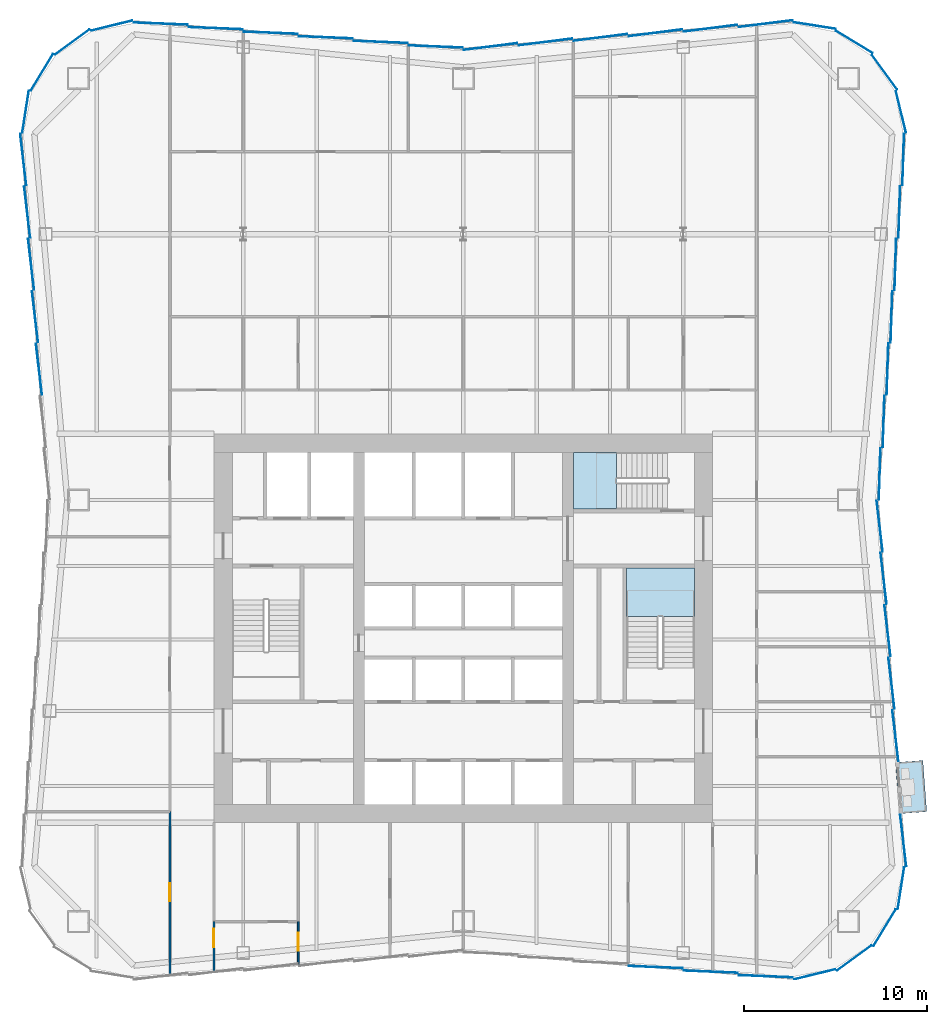
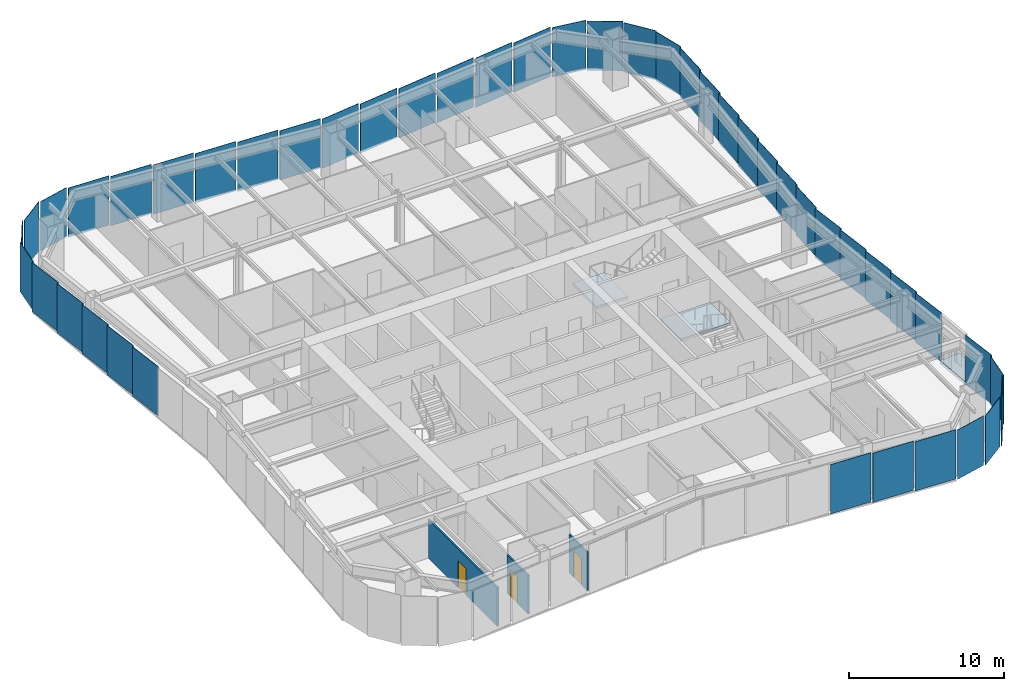
# One storey, part 3 of 9: 45 plates, 3 doors, 3 slabs, 3 walls, 3 openings, 9 elements without a shape of their own.
"""IFC4 building model written with IfcOpenShell, lengths in metres."""

from ifc_helpers import new_model, si_unit, direction, frame, frame_2d, origin, origin_2d, place, context, subcontext, project, spatial, polyline, rectangle, outline, extrude, material, layer, layer_set, type_object, element, fill, aggregate, save


model = new_model("IFC4")

# Units and contexts
model_context = context("Model", 3, precision=1e-05, world=origin(), true_north=direction((0.0, 1.0)))
body_context = subcontext(model_context, "Body", "Model", "MODEL_VIEW")
ifc_project = project(units=[si_unit("LENGTHUNIT", "METRE"), si_unit("AREAUNIT", "SQUARE_METRE"), si_unit("VOLUMEUNIT", "CUBIC_METRE"), si_unit("PLANEANGLEUNIT", "RADIAN"), si_unit("MASSUNIT", "GRAM", prefix="KILO")], contexts=[model_context])

# Site, building, storey
site_placement = place(None, origin())
site = spatial("IfcSite", under=ifc_project, at=site_placement, CompositionType="ELEMENT")
building_placement = place(site_placement, origin())
building = spatial("IfcBuilding", under=site, at=building_placement, Name="Verdant Reach Tower", CompositionType="ELEMENT")
storey_placement = place(building_placement, frame((0.0, 0.0, 142.0)))
storey = spatial("IfcBuildingStorey", under=building, at=storey_placement, Name="L32", CompositionType="ELEMENT", Elevation=142.0)

# Stair, slab
ifc_material_1 = material(Name="Concrete C40/50", Category="concrete")
stair_type = type_object("IfcStairType", Name="CO-STAIR", PredefinedType="HALF_TURN_STAIR", material=ifc_material_1)
stair_1_placement = place(storey_placement, origin())
stair_1 = element("IfcStair", 1, at=stair_1_placement, inside=storey, type_object=stair_type, Name="L32 Exit stair 2", PredefinedType="HALF_TURN_STAIR")
ifc_layer_1 = layer(ifc_material_1, 0.199951171875)
ifc_layer_set_1 = layer_set([ifc_layer_1], Name="CO-STAIR-LANDING")
slab_type_1 = type_object("IfcSlabType", Name="CO-STAIR-LANDING", PredefinedType="LANDING", material=ifc_layer_set_1)
slab_1_placement = place(storey_placement, frame((0.0, 0.0, 1.800048828125)))
slab_1 = element("IfcSlab", 2, at=slab_1_placement, type_object=slab_type_1, Name="ST-2 landing 1", PredefinedType="LANDING", context=body_context, shape_type="SweptSolid", body=[
    extrude(outline(polyline([(12.60009765625, 28.64990234375), (12.60009765625, 31.300048828125), (8.89990234375, 31.300048828125), (8.89990234375, 28.64990234375), (12.60009765625, 28.64990234375)])), origin(), (0.0, 0.0, 1.0), 0.199951171875),
])
aggregate(stair_1, [slab_1])

stair_2_placement = place(storey_placement, origin())
stair_2 = element("IfcStair", 3, at=stair_2_placement, inside=storey, type_object=stair_type, Name="L32 Exit stair 3", PredefinedType="HALF_TURN_STAIR")
slab_2_placement = place(storey_placement, frame((0.0, 0.0, 1.800048828125)))
slab_2 = element("IfcSlab", 4, at=slab_2_placement, type_object=slab_type_1, Name="ST-3 landing 1", PredefinedType="LANDING", context=body_context, shape_type="SweptSolid", body=[
    extrude(outline(polyline([(8.35009765625, 37.60009765625), (6.0, 37.60009765625), (6.0, 34.5), (8.35009765625, 34.5), (8.35009765625, 37.60009765625)])), origin(), (0.0, 0.0, 1.0), 0.199951171875),
])
aggregate(stair_2, [slab_2])

# Slab
ifc_material_2 = material(Name="Concrete C35/45", Category="concrete")
ifc_layer_2 = layer(ifc_material_2, 0.25)
ifc_layer_set_2 = layer_set([ifc_layer_2], Name="EN-BALCONY SLAB")
slab_type_2 = type_object("IfcSlabType", Name="EN-BALCONY SLAB", PredefinedType="FLOOR", material=ifc_layer_set_2)
slab_3_placement = place(storey_placement, frame((0.0, 0.0, -0.25)))
element("IfcSlab", 5, at=slab_3_placement, inside=storey, type_object=slab_type_2, Name="Balcony slab 1, L32", PredefinedType="FLOOR", context=body_context, shape_type="SweptSolid", body=[
    extrude(outline(polyline([(23.783203125, 17.88916015625), (23.57373046875, 20.682373046875), (25.069580078125, 20.794677734375), (25.279052734375, 18.001220703125), (23.783203125, 17.88916015625)])), origin(), (0.0, 0.0, 1.0), 0.25),
])

# Curtain wall, plates
ifc_material_3 = material(Name="Anodised aluminium", Category="aluminium")
curtain_wall_type = type_object("IfcCurtainWallType", Name="EN-CW SYSTEM Z2", PredefinedType="NOTDEFINED", material=ifc_material_3)
curtain_wall_1_placement = place(storey_placement, origin())
curtain_wall_1 = element("IfcCurtainWall", 6, at=curtain_wall_1_placement, inside=storey, type_object=curtain_wall_type, Name="Curtain wall south-east corner, L32", PredefinedType="NOTDEFINED")
ifc_material_4 = material(Name="Tinted glass with champagne spandrel", Category="glass")
ifc_layer_3 = layer(ifc_material_4, 0.031982421875)
ifc_layer_set_3 = layer_set([ifc_layer_3], Name="EN-PANEL CHAMPAGNE")
plate_type_1 = type_object("IfcPlateType", Name="EN-PANEL CHAMPAGNE", PredefinedType="CURTAIN_PANEL", material=ifc_layer_set_3)
plate_1_placement = place(storey_placement, frame((22.9794921875, 11.6728515625, -0.22607421875), z_axis=(0.0, 0.0, 1.0), x_axis=(0.520291561353, 0.853988694998, 0.0)))
plate_1 = element("IfcPlate", 7, at=plate_1_placement, type_object=plate_type_1, Name="Glass panel south-east corner 3.1, L32", PredefinedType="CURTAIN_PANEL", context=body_context, shape_type="SweptSolid", body=[
    extrude(rectangle(XDim=2.322509765625, YDim=0.031982421875, at=origin_2d()), origin(), (0.0, 0.0, 1.0), 3.8759765625),
])
plate_2_placement = place(storey_placement, frame((23.87353515625, 13.828369140625, -0.22607421875), z_axis=(0.0, 0.0, 1.0), x_axis=(0.154281290631, 0.988026964896, 0.0)))
plate_2 = element("IfcPlate", 8, at=plate_2_placement, type_object=plate_type_1, Name="Glass panel south-east corner 4.1, L32", PredefinedType="CURTAIN_PANEL", context=body_context, shape_type="SweptSolid", body=[
    extrude(rectangle(XDim=2.316162109375, YDim=0.031982421875, at=origin_2d()), origin(), (0.0, 0.0, 1.0), 3.8759765625),
])

curtain_wall_2_placement = place(storey_placement, origin())
curtain_wall_2 = element("IfcCurtainWall", 9, at=curtain_wall_2_placement, inside=storey, type_object=curtain_wall_type, Name="Curtain wall east, L32", PredefinedType="NOTDEFINED")
plate_3_placement = place(storey_placement, frame((23.570068359375, 22.15087890625, -0.22607421875), z_axis=(0.0, 0.0, 1.0), x_axis=(-0.116482717753, 0.993192718693, 0.0)))
plate_3 = element("IfcPlate", 10, at=plate_3_placement, type_object=plate_type_1, Name="Glass panel east face part 1 3.1, L32", PredefinedType="CURTAIN_PANEL", context=body_context, shape_type="SweptSolid", body=[
    extrude(rectangle(XDim=2.80517578125, YDim=0.031982421875, at=origin_2d()), origin(), (0.0, 0.0, 1.0), 3.8759765625),
])
plate_4_placement = place(storey_placement, frame((23.141357421875, 42.135009765625, -0.22607421875), z_axis=(0.0, 0.0, 1.0), x_axis=(0.032965971753, 0.999456474643, 0.0)))
plate_4 = element("IfcPlate", 11, at=plate_4_placement, type_object=plate_type_1, Name="Glass panel east face part 2 3.1, L32", PredefinedType="CURTAIN_PANEL", context=body_context, shape_type="SweptSolid", body=[
    extrude(rectangle(XDim=2.80517578125, YDim=0.031982421875, at=origin_2d()), origin(), (0.0, 0.0, 1.0), 3.8759765625),
])
plate_5_placement = place(storey_placement, frame((23.355712890625, 44.9921875, -0.22607421875), z_axis=(0.0, 0.0, 1.0), x_axis=(0.032965971753, 0.999456474643, 0.0)))
plate_5 = element("IfcPlate", 12, at=plate_5_placement, type_object=plate_type_1, Name="Glass panel east face part 2 4.1, L32", PredefinedType="CURTAIN_PANEL", context=body_context, shape_type="SweptSolid", body=[
    extrude(rectangle(XDim=2.80517578125, YDim=0.031982421875, at=origin_2d()), origin(), (0.0, 0.0, 1.0), 3.8759765625),
])
plate_6_placement = place(storey_placement, frame((23.570068359375, 47.84912109375, -0.22607421875), z_axis=(0.0, 0.0, 1.0), x_axis=(0.032965971753, 0.999456474643, 0.0)))
plate_6 = element("IfcPlate", 13, at=plate_6_placement, type_object=plate_type_1, Name="Glass panel east face part 2 5.1, L32", PredefinedType="CURTAIN_PANEL", context=body_context, shape_type="SweptSolid", body=[
    extrude(rectangle(XDim=2.80517578125, YDim=0.031982421875, at=origin_2d()), origin(), (0.0, 0.0, 1.0), 3.8759765625),
])

curtain_wall_3_placement = place(storey_placement, origin())
curtain_wall_3 = element("IfcCurtainWall", 14, at=curtain_wall_3_placement, inside=storey, type_object=curtain_wall_type, Name="Curtain wall north-east corner, L32", PredefinedType="NOTDEFINED")
plate_7_placement = place(storey_placement, frame((22.9794921875, 58.3271484375, -0.22607421875), z_axis=(0.0, 0.0, 1.0), x_axis=(-0.589926757843, 0.807456760688, 0.0)))
plate_7 = element("IfcPlate", 15, at=plate_7_placement, type_object=plate_type_1, Name="Glass panel north-east corner 2.1, L32", PredefinedType="CURTAIN_PANEL", context=body_context, shape_type="SweptSolid", body=[
    extrude(rectangle(XDim=2.322509765625, YDim=0.031982421875, at=origin_2d()), origin(), (0.0, 0.0, 1.0), 3.8759765625),
])
plate_8_placement = place(storey_placement, frame((21.3271484375, 59.9794921875, -0.22607421875), z_axis=(0.0, 0.0, 1.0), x_axis=(-0.853988694998, 0.520291561353, 0.0)))
plate_8 = element("IfcPlate", 16, at=plate_8_placement, type_object=plate_type_1, Name="Glass panel north-east corner 3.1, L32", PredefinedType="CURTAIN_PANEL", context=body_context, shape_type="SweptSolid", body=[
    extrude(rectangle(XDim=2.322509765625, YDim=0.031982421875, at=origin_2d()), origin(), (0.0, 0.0, 1.0), 3.8759765625),
])

curtain_wall_4_placement = place(storey_placement, origin())
curtain_wall_4 = element("IfcCurtainWall", 17, at=curtain_wall_4_placement, inside=storey, type_object=curtain_wall_type, Name="Curtain wall north, L32", PredefinedType="NOTDEFINED")
plate_9_placement = place(storey_placement, frame((16.49853515625, 60.980712890625, -0.22607421875), z_axis=(0.0, 0.0, 1.0), x_axis=(-0.992236570309, -0.124364739946, 0.0)))
plate_9 = element("IfcPlate", 18, at=plate_9_placement, type_object=plate_type_1, Name="Glass panel north face part 1 1.1, L32", PredefinedType="CURTAIN_PANEL", context=body_context, shape_type="SweptSolid", body=[
    extrude(rectangle(XDim=2.965087890625, YDim=0.031982421875, at=origin_2d()), origin(), (0.0, 0.0, 1.0), 3.8759765625),
])
plate_10_placement = place(storey_placement, frame((-1.49560546875, 59.730712890625, -0.22607421875), z_axis=(0.0, 0.0, 1.0), x_axis=(-0.999144163765, 0.041363510662, 0.0)))
plate_10 = element("IfcPlate", 19, at=plate_10_placement, type_object=plate_type_1, Name="Glass panel north face part 2 1.1, L32", PredefinedType="CURTAIN_PANEL", context=body_context, shape_type="SweptSolid", body=[
    extrude(rectangle(XDim=2.941650390625, YDim=0.031982421875, at=origin_2d()), origin(), (0.0, 0.0, 1.0), 3.8759765625),
])
plate_11_placement = place(storey_placement, frame((-4.4912109375, 59.980712890625, -0.22607421875), z_axis=(0.0, 0.0, 1.0), x_axis=(-0.999149202059, 0.041241629766, 0.0)))
plate_11 = element("IfcPlate", 20, at=plate_11_placement, type_object=plate_type_1, Name="Glass panel north face part 2 2.1, L32", PredefinedType="CURTAIN_PANEL", context=body_context, shape_type="SweptSolid", body=[
    extrude(rectangle(XDim=2.950439453125, YDim=0.031982421875, at=origin_2d()), origin(), (0.0, 0.0, 1.0), 3.8759765625),
])
plate_12_placement = place(storey_placement, frame((-7.4912109375, 60.230712890625, -0.22607421875), z_axis=(0.0, 0.0, 1.0), x_axis=(-0.999149202059, 0.041241629766, 0.0)))
plate_12 = element("IfcPlate", 21, at=plate_12_placement, type_object=plate_type_1, Name="Glass panel north face part 2 3.1, L32", PredefinedType="CURTAIN_PANEL", context=body_context, shape_type="SweptSolid", body=[
    extrude(rectangle(XDim=2.950439453125, YDim=0.031982421875, at=origin_2d()), origin(), (0.0, 0.0, 1.0), 3.8759765625),
])

# Curtain wall, plate
curtain_wall_5_placement = place(storey_placement, origin())
curtain_wall_5 = element("IfcCurtainWall", 22, at=curtain_wall_5_placement, inside=storey, type_object=curtain_wall_type, Name="Curtain wall north-west corner, L32", PredefinedType="NOTDEFINED")
plate_13_placement = place(storey_placement, frame((-19.17138671875, 60.87353515625, -0.22607421875), z_axis=(0.0, 0.0, 1.0), x_axis=(-0.971657900775, -0.236391463174, 0.0)))
plate_13 = element("IfcPlate", 23, at=plate_13_placement, type_object=plate_type_1, Name="Glass panel north-west corner 1.1, L32", PredefinedType="CURTAIN_PANEL", context=body_context, shape_type="SweptSolid", body=[
    extrude(rectangle(XDim=2.31640625, YDim=0.031982421875, at=origin_2d()), origin(), (0.0, 0.0, 1.0), 3.8759765625),
])

# Curtain wall, plates
curtain_wall_6_placement = place(storey_placement, origin())
curtain_wall_6 = element("IfcCurtainWall", 24, at=curtain_wall_6_placement, inside=storey, type_object=curtain_wall_type, Name="Curtain wall south, L32", PredefinedType="NOTDEFINED")
plate_14_placement = place(storey_placement, frame((13.4912109375, 9.269287109375, -0.22607421875), z_axis=(0.0, 0.0, 1.0), x_axis=(0.999149202059, -0.041241629766, 0.0)))
plate_14 = element("IfcPlate", 25, at=plate_14_placement, type_object=plate_type_1, Name="Glass panel south face part 2 5.1, L32", PredefinedType="CURTAIN_PANEL", context=body_context, shape_type="SweptSolid", body=[
    extrude(rectangle(XDim=2.950439453125, YDim=0.031982421875, at=origin_2d()), origin(), (0.0, 0.0, 1.0), 3.8759765625),
])
plate_15_placement = place(storey_placement, frame((16.49853515625, 9.019287109375, -0.22607421875), z_axis=(0.0, 0.0, 1.0), x_axis=(0.999163230224, -0.040900359019, 0.0)))
plate_15 = element("IfcPlate", 26, at=plate_15_placement, type_object=plate_type_1, Name="Glass panel south face part 2 6.1, L32", PredefinedType="CURTAIN_PANEL", context=body_context, shape_type="SweptSolid", body=[
    extrude(rectangle(XDim=2.965087890625, YDim=0.031982421875, at=origin_2d()), origin(), (0.0, 0.0, 1.0), 3.8759765625),
])

# Plate
ifc_material_5 = material(Name="Tinted glass with copper spandrel", Category="glass")
ifc_layer_4 = layer(ifc_material_5, 0.031982421875)
ifc_layer_set_4 = layer_set([ifc_layer_4], Name="EN-PANEL COPPER")
plate_type_2 = type_object("IfcPlateType", Name="EN-PANEL COPPER", PredefinedType="CURTAIN_PANEL", material=ifc_layer_set_4)
plate_16_placement = place(storey_placement, frame((23.355712890625, 25.0078125, -0.22607421875), z_axis=(0.0, 0.0, 1.0), x_axis=(-0.116482717753, 0.993192718693, 0.0)))
plate_16 = element("IfcPlate", 27, at=plate_16_placement, type_object=plate_type_2, Name="Glass panel east face part 1 4.1, L32", PredefinedType="CURTAIN_PANEL", context=body_context, shape_type="SweptSolid", body=[
    extrude(rectangle(XDim=2.80517578125, YDim=0.031982421875, at=origin_2d()), origin(), (0.0, 0.0, 1.0), 3.8759765625),
])

plate_17_placement = place(storey_placement, frame((23.141357421875, 27.864990234375, -0.22607421875), z_axis=(0.0, 0.0, 1.0), x_axis=(-0.116482717753, 0.993192718693, 0.0)))
plate_17 = element("IfcPlate", 28, at=plate_17_placement, type_object=plate_type_2, Name="Glass panel east face part 1 5.1, L32", PredefinedType="CURTAIN_PANEL", context=body_context, shape_type="SweptSolid", body=[
    extrude(rectangle(XDim=2.80517578125, YDim=0.031982421875, at=origin_2d()), origin(), (0.0, 0.0, 1.0), 3.8759765625),
])

plate_18_placement = place(storey_placement, frame((22.92724609375, 30.72216796875, -0.22607421875), z_axis=(0.0, 0.0, 1.0), x_axis=(-0.116482717753, 0.993192718693, 0.0)))
plate_18 = element("IfcPlate", 29, at=plate_18_placement, type_object=plate_type_2, Name="Glass panel east face part 1 6.1, L32", PredefinedType="CURTAIN_PANEL", context=body_context, shape_type="SweptSolid", body=[
    extrude(rectangle(XDim=2.80517578125, YDim=0.031982421875, at=origin_2d()), origin(), (0.0, 0.0, 1.0), 3.8759765625),
])

plate_19_placement = place(storey_placement, frame((23.7841796875, 50.706298828125, -0.22607421875), z_axis=(0.0, 0.0, 1.0), x_axis=(0.032965971753, 0.999456474643, 0.0)))
plate_19 = element("IfcPlate", 30, at=plate_19_placement, type_object=plate_type_2, Name="Glass panel east face part 2 6.1, L32", PredefinedType="CURTAIN_PANEL", context=body_context, shape_type="SweptSolid", body=[
    extrude(rectangle(XDim=2.80517578125, YDim=0.031982421875, at=origin_2d()), origin(), (0.0, 0.0, 1.0), 3.8759765625),
])

plate_20_placement = place(storey_placement, frame((23.99853515625, 53.57080078125, -0.22607421875), z_axis=(0.0, 0.0, 1.0), x_axis=(0.032628234484, 0.99946755741, 0.0)))
plate_20 = element("IfcPlate", 31, at=plate_20_placement, type_object=plate_type_2, Name="Glass panel east face part 2 7.1, L32", PredefinedType="CURTAIN_PANEL", context=body_context, shape_type="SweptSolid", body=[
    extrude(rectangle(XDim=2.819580078125, YDim=0.031982421875, at=origin_2d()), origin(), (0.0, 0.0, 1.0), 3.8759765625),
])

plate_21_placement = place(storey_placement, frame((19.17138671875, 60.87353515625, -0.22607421875), z_axis=(0.0, 0.0, 1.0), x_axis=(-0.988030887576, 0.154256167447, 0.0)))
plate_21 = element("IfcPlate", 32, at=plate_21_placement, type_object=plate_type_2, Name="Glass panel north-east corner 4.1, L32", PredefinedType="CURTAIN_PANEL", context=body_context, shape_type="SweptSolid", body=[
    extrude(rectangle(XDim=2.31640625, YDim=0.031982421875, at=origin_2d()), origin(), (0.0, 0.0, 1.0), 3.8759765625),
])

plate_22_placement = place(storey_placement, frame((13.4912109375, 60.730712890625, -0.22607421875), z_axis=(0.0, 0.0, 1.0), x_axis=(-0.992194034542, -0.124703639961, 0.0)))
plate_22 = element("IfcPlate", 33, at=plate_22_placement, type_object=plate_type_2, Name="Glass panel north face part 1 2.1, L32", PredefinedType="CURTAIN_PANEL", context=body_context, shape_type="SweptSolid", body=[
    extrude(rectangle(XDim=2.950439453125, YDim=0.031982421875, at=origin_2d()), origin(), (0.0, 0.0, 1.0), 3.8759765625),
])

plate_23_placement = place(storey_placement, frame((10.4912109375, 60.480712890625, -0.22607421875), z_axis=(0.0, 0.0, 1.0), x_axis=(-0.992194034542, -0.124703639961, 0.0)))
plate_23 = element("IfcPlate", 34, at=plate_23_placement, type_object=plate_type_2, Name="Glass panel north face part 1 3.1, L32", PredefinedType="CURTAIN_PANEL", context=body_context, shape_type="SweptSolid", body=[
    extrude(rectangle(XDim=2.950439453125, YDim=0.031982421875, at=origin_2d()), origin(), (0.0, 0.0, 1.0), 3.8759765625),
])

plate_24_placement = place(storey_placement, frame((7.4912109375, 60.230712890625, -0.22607421875), z_axis=(0.0, 0.0, 1.0), x_axis=(-0.992194034542, -0.124703639961, 0.0)))
plate_24 = element("IfcPlate", 35, at=plate_24_placement, type_object=plate_type_2, Name="Glass panel north face part 1 4.1, L32", PredefinedType="CURTAIN_PANEL", context=body_context, shape_type="SweptSolid", body=[
    extrude(rectangle(XDim=2.950439453125, YDim=0.031982421875, at=origin_2d()), origin(), (0.0, 0.0, 1.0), 3.8759765625),
])

plate_25_placement = place(storey_placement, frame((-10.4912109375, 60.480712890625, -0.22607421875), z_axis=(0.0, 0.0, 1.0), x_axis=(-0.999149202059, 0.041241629766, 0.0)))
plate_25 = element("IfcPlate", 36, at=plate_25_placement, type_object=plate_type_2, Name="Glass panel north face part 2 4.1, L32", PredefinedType="CURTAIN_PANEL", context=body_context, shape_type="SweptSolid", body=[
    extrude(rectangle(XDim=2.950439453125, YDim=0.031982421875, at=origin_2d()), origin(), (0.0, 0.0, 1.0), 3.8759765625),
])

plate_26_placement = place(storey_placement, frame((-13.4912109375, 60.730712890625, -0.22607421875), z_axis=(0.0, 0.0, 1.0), x_axis=(-0.999149202059, 0.041241629766, 0.0)))
plate_26 = element("IfcPlate", 37, at=plate_26_placement, type_object=plate_type_2, Name="Glass panel north face part 2 5.1, L32", PredefinedType="CURTAIN_PANEL", context=body_context, shape_type="SweptSolid", body=[
    extrude(rectangle(XDim=2.950439453125, YDim=0.031982421875, at=origin_2d()), origin(), (0.0, 0.0, 1.0), 3.8759765625),
])

plate_27_placement = place(storey_placement, frame((-21.3271484375, 59.9794921875, -0.22607421875), z_axis=(0.0, 0.0, 1.0), x_axis=(-0.807456760688, -0.589926757843, 0.0)))
plate_27 = element("IfcPlate", 38, at=plate_27_placement, type_object=plate_type_2, Name="Glass panel north-west corner 2.1, L32", PredefinedType="CURTAIN_PANEL", context=body_context, shape_type="SweptSolid", body=[
    extrude(rectangle(XDim=2.322509765625, YDim=0.031982421875, at=origin_2d()), origin(), (0.0, 0.0, 1.0), 3.8759765625),
])

plate_28_placement = place(storey_placement, frame((-22.9794921875, 58.3271484375, -0.22607421875), z_axis=(0.0, 0.0, 1.0), x_axis=(-0.520291561353, -0.853988694998, 0.0)))
plate_28 = element("IfcPlate", 39, at=plate_28_placement, type_object=plate_type_2, Name="Glass panel north-west corner 3.1, L32", PredefinedType="CURTAIN_PANEL", context=body_context, shape_type="SweptSolid", body=[
    extrude(rectangle(XDim=2.322509765625, YDim=0.031982421875, at=origin_2d()), origin(), (0.0, 0.0, 1.0), 3.8759765625),
])

plate_29_placement = place(storey_placement, frame((-23.87353515625, 56.171630859375, -0.22607421875), z_axis=(0.0, 0.0, 1.0), x_axis=(-0.154281290631, -0.988026964896, 0.0)))
plate_29 = element("IfcPlate", 40, at=plate_29_placement, type_object=plate_type_2, Name="Glass panel north-west corner 4.1, L32", PredefinedType="CURTAIN_PANEL", context=body_context, shape_type="SweptSolid", body=[
    extrude(rectangle(XDim=2.316162109375, YDim=0.031982421875, at=origin_2d()), origin(), (0.0, 0.0, 1.0), 3.8759765625),
])

aggregate(curtain_wall_5, [plate_13, plate_27, plate_28, plate_29])

# Curtain wall, plates
curtain_wall_7_placement = place(storey_placement, origin())
curtain_wall_7 = element("IfcCurtainWall", 41, at=curtain_wall_7_placement, inside=storey, type_object=curtain_wall_type, Name="Curtain wall west, L32", PredefinedType="NOTDEFINED")
plate_30_placement = place(storey_placement, frame((-23.99853515625, 53.57080078125, -0.22607421875), z_axis=(0.0, 0.0, 1.0), x_axis=(0.116147092358, -0.993232023717, 0.0)))
plate_30 = element("IfcPlate", 42, at=plate_30_placement, type_object=plate_type_2, Name="Glass panel west face part 1 1.1, L32", PredefinedType="CURTAIN_PANEL", context=body_context, shape_type="SweptSolid", body=[
    extrude(rectangle(XDim=2.819580078125, YDim=0.031982421875, at=origin_2d()), origin(), (0.0, 0.0, 1.0), 3.8759765625),
])
plate_31_placement = place(storey_placement, frame((-23.7841796875, 50.706298828125, -0.22607421875), z_axis=(0.0, 0.0, 1.0), x_axis=(0.116482717753, -0.993192718693, 0.0)))
plate_31 = element("IfcPlate", 43, at=plate_31_placement, type_object=plate_type_2, Name="Glass panel west face part 1 2.1, L32", PredefinedType="CURTAIN_PANEL", context=body_context, shape_type="SweptSolid", body=[
    extrude(rectangle(XDim=2.80517578125, YDim=0.031982421875, at=origin_2d()), origin(), (0.0, 0.0, 1.0), 3.8759765625),
])

# Plate
ifc_material_6 = material(Name="Tinted glass with dark bronze spandrel", Category="glass")
ifc_layer_5 = layer(ifc_material_6, 0.031982421875)
ifc_layer_set_5 = layer_set([ifc_layer_5], Name="EN-PANEL DARK")
plate_type_3 = type_object("IfcPlateType", Name="EN-PANEL DARK", PredefinedType="CURTAIN_PANEL", material=ifc_layer_set_5)
plate_32_placement = place(storey_placement, frame((19.17138671875, 9.12646484375, -0.22607421875), z_axis=(0.0, 0.0, 1.0), x_axis=(0.971657900775, 0.236391463174, 0.0)))
plate_32 = element("IfcPlate", 44, at=plate_32_placement, type_object=plate_type_3, Name="Glass panel south-east corner 1.1, L32", PredefinedType="CURTAIN_PANEL", context=body_context, shape_type="SweptSolid", body=[
    extrude(rectangle(XDim=2.31640625, YDim=0.031982421875, at=origin_2d()), origin(), (0.0, 0.0, 1.0), 3.8759765625),
])

plate_33_placement = place(storey_placement, frame((21.3271484375, 10.0205078125, -0.22607421875), z_axis=(0.0, 0.0, 1.0), x_axis=(0.807456760688, 0.589926757843, 0.0)))
plate_33 = element("IfcPlate", 45, at=plate_33_placement, type_object=plate_type_3, Name="Glass panel south-east corner 2.1, L32", PredefinedType="CURTAIN_PANEL", context=body_context, shape_type="SweptSolid", body=[
    extrude(rectangle(XDim=2.322509765625, YDim=0.031982421875, at=origin_2d()), origin(), (0.0, 0.0, 1.0), 3.8759765625),
])

aggregate(curtain_wall_1, [plate_32, plate_33, plate_1, plate_2])

plate_34_placement = place(storey_placement, frame((23.99853515625, 16.42919921875, -0.22607421875), z_axis=(0.0, 0.0, 1.0), x_axis=(-0.116147092358, 0.993232023717, 0.0)))
plate_34 = element("IfcPlate", 46, at=plate_34_placement, type_object=plate_type_3, Name="Glass panel east face part 1 1.1, L32", PredefinedType="CURTAIN_PANEL", context=body_context, shape_type="SweptSolid", body=[
    extrude(rectangle(XDim=2.819580078125, YDim=0.031982421875, at=origin_2d()), origin(), (0.0, 0.0, 1.0), 3.8759765625),
])

plate_35_placement = place(storey_placement, frame((22.712890625, 33.575439453125, -0.22607421875), z_axis=(0.0, 0.0, 1.0), x_axis=(-0.116585911919, 0.993180610535, 0.0)))
plate_35 = element("IfcPlate", 47, at=plate_35_placement, type_object=plate_type_3, Name="Glass panel east face part 1 7.1, L32", PredefinedType="CURTAIN_PANEL", context=body_context, shape_type="SweptSolid", body=[
    extrude(rectangle(XDim=2.797119140625, YDim=0.031982421875, at=origin_2d()), origin(), (0.0, 0.0, 1.0), 3.8759765625),
])

plate_36_placement = place(storey_placement, frame((22.712890625, 36.424560546875, -0.22607421875), z_axis=(0.0, 0.0, 1.0), x_axis=(0.033069817188, 0.999453044015, 0.0)))
plate_36 = element("IfcPlate", 48, at=plate_36_placement, type_object=plate_type_3, Name="Glass panel east face part 2 1.1, L32", PredefinedType="CURTAIN_PANEL", context=body_context, shape_type="SweptSolid", body=[
    extrude(rectangle(XDim=2.797119140625, YDim=0.031982421875, at=origin_2d()), origin(), (0.0, 0.0, 1.0), 3.8759765625),
])

plate_37_placement = place(storey_placement, frame((22.92724609375, 39.27783203125, -0.22607421875), z_axis=(0.0, 0.0, 1.0), x_axis=(0.032965971753, 0.999456474643, 0.0)))
plate_37 = element("IfcPlate", 49, at=plate_37_placement, type_object=plate_type_3, Name="Glass panel east face part 2 2.1, L32", PredefinedType="CURTAIN_PANEL", context=body_context, shape_type="SweptSolid", body=[
    extrude(rectangle(XDim=2.80517578125, YDim=0.031982421875, at=origin_2d()), origin(), (0.0, 0.0, 1.0), 3.8759765625),
])

aggregate(curtain_wall_2, [plate_34, plate_3, plate_16, plate_17, plate_18, plate_35, plate_36, plate_37, plate_4, plate_5, plate_6, plate_19, plate_20])

plate_38_placement = place(storey_placement, frame((23.87353515625, 56.171630859375, -0.22607421875), z_axis=(0.0, 0.0, 1.0), x_axis=(-0.236416170006, 0.971651889598, 0.0)))
plate_38 = element("IfcPlate", 50, at=plate_38_placement, type_object=plate_type_3, Name="Glass panel north-east corner 1.1, L32", PredefinedType="CURTAIN_PANEL", context=body_context, shape_type="SweptSolid", body=[
    extrude(rectangle(XDim=2.316162109375, YDim=0.031982421875, at=origin_2d()), origin(), (0.0, 0.0, 1.0), 3.8759765625),
])

aggregate(curtain_wall_3, [plate_38, plate_7, plate_8, plate_21])

plate_39_placement = place(storey_placement, frame((4.4912109375, 59.980712890625, -0.22607421875), z_axis=(0.0, 0.0, 1.0), x_axis=(-0.992194034542, -0.124703639961, 0.0)))
plate_39 = element("IfcPlate", 51, at=plate_39_placement, type_object=plate_type_3, Name="Glass panel north face part 1 5.1, L32", PredefinedType="CURTAIN_PANEL", context=body_context, shape_type="SweptSolid", body=[
    extrude(rectangle(XDim=2.950439453125, YDim=0.031982421875, at=origin_2d()), origin(), (0.0, 0.0, 1.0), 3.8759765625),
])

plate_40_placement = place(storey_placement, frame((1.49560546875, 59.730712890625, -0.22607421875), z_axis=(0.0, 0.0, 1.0), x_axis=(-0.992178815188, -0.12482467181, 0.0)))
plate_40 = element("IfcPlate", 52, at=plate_40_placement, type_object=plate_type_3, Name="Glass panel north face part 1 6.1, L32", PredefinedType="CURTAIN_PANEL", context=body_context, shape_type="SweptSolid", body=[
    extrude(rectangle(XDim=2.941650390625, YDim=0.031982421875, at=origin_2d()), origin(), (0.0, 0.0, 1.0), 3.8759765625),
])

plate_41_placement = place(storey_placement, frame((-16.49853515625, 60.980712890625, -0.22607421875), z_axis=(0.0, 0.0, 1.0), x_axis=(-0.999163230224, 0.040900359019, 0.0)))
plate_41 = element("IfcPlate", 53, at=plate_41_placement, type_object=plate_type_3, Name="Glass panel north face part 2 6.1, L32", PredefinedType="CURTAIN_PANEL", context=body_context, shape_type="SweptSolid", body=[
    extrude(rectangle(XDim=2.965087890625, YDim=0.031982421875, at=origin_2d()), origin(), (0.0, 0.0, 1.0), 3.8759765625),
])

aggregate(curtain_wall_4, [plate_9, plate_22, plate_23, plate_24, plate_39, plate_40, plate_10, plate_11, plate_12, plate_25, plate_26, plate_41])

plate_42_placement = place(storey_placement, frame((-23.570068359375, 47.84912109375, -0.22607421875), z_axis=(0.0, 0.0, 1.0), x_axis=(0.116482717753, -0.993192718693, 0.0)))
plate_42 = element("IfcPlate", 54, at=plate_42_placement, type_object=plate_type_3, Name="Glass panel west face part 1 3.1, L32", PredefinedType="CURTAIN_PANEL", context=body_context, shape_type="SweptSolid", body=[
    extrude(rectangle(XDim=2.80517578125, YDim=0.031982421875, at=origin_2d()), origin(), (0.0, 0.0, 1.0), 3.8759765625),
])

plate_43_placement = place(storey_placement, frame((-23.355712890625, 44.9921875, -0.22607421875), z_axis=(0.0, 0.0, 1.0), x_axis=(0.116482717753, -0.993192718693, 0.0)))
plate_43 = element("IfcPlate", 55, at=plate_43_placement, type_object=plate_type_3, Name="Glass panel west face part 1 4.1, L32", PredefinedType="CURTAIN_PANEL", context=body_context, shape_type="SweptSolid", body=[
    extrude(rectangle(XDim=2.80517578125, YDim=0.031982421875, at=origin_2d()), origin(), (0.0, 0.0, 1.0), 3.8759765625),
])

plate_44_placement = place(storey_placement, frame((-23.141357421875, 42.135009765625, -0.22607421875), z_axis=(0.0, 0.0, 1.0), x_axis=(0.116482717753, -0.993192718693, 0.0)))
plate_44 = element("IfcPlate", 56, at=plate_44_placement, type_object=plate_type_3, Name="Glass panel west face part 1 5.1, L32", PredefinedType="CURTAIN_PANEL", context=body_context, shape_type="SweptSolid", body=[
    extrude(rectangle(XDim=2.80517578125, YDim=0.031982421875, at=origin_2d()), origin(), (0.0, 0.0, 1.0), 3.8759765625),
])

aggregate(curtain_wall_7, [plate_30, plate_31, plate_42, plate_43, plate_44])

plate_45_placement = place(storey_placement, frame((10.4912109375, 9.519287109375, -0.22607421875), z_axis=(0.0, 0.0, 1.0), x_axis=(0.999149202059, -0.041241629766, 0.0)))
plate_45 = element("IfcPlate", 57, at=plate_45_placement, type_object=plate_type_3, Name="Glass panel south face part 2 4.1, L32", PredefinedType="CURTAIN_PANEL", context=body_context, shape_type="SweptSolid", body=[
    extrude(rectangle(XDim=2.950439453125, YDim=0.031982421875, at=origin_2d()), origin(), (0.0, 0.0, 1.0), 3.8759765625),
])

aggregate(curtain_wall_6, [plate_45, plate_14, plate_15])

# Wall, opening, door
ifc_material_7 = material(Name="Gypsum board on steel studs", Category="steel")
ifc_layer_6 = layer(ifc_material_7, 0.10009765625)
ifc_layer_set_6 = layer_set([ifc_layer_6], Name="FL-W1 Partition 100")
wall_type_1 = type_object("IfcWallType", Name="FL-W1 Partition 100", PredefinedType="PARTITIONING", material=ifc_layer_set_6)
wall_1_placement = place(storey_placement, frame((-9.0, 12.00390625, 0.0), z_axis=(0.0, 0.0, 1.0), x_axis=(0.0, -1.0, 0.0)))
wall_1 = element("IfcWall", 58, at=wall_1_placement, inside=storey, type_object=wall_type_1, Name="Partition 32.32", PredefinedType="PARTITIONING", context=body_context, shape_type="SweptSolid", body=[
    extrude(rectangle(XDim=2.333984375, YDim=0.10009765625, at=frame_2d((1.1669921875, 0.0))), origin(), (0.0, 0.0, 1.0), 3.0400390625),
])
opening_1_placement = place(wall_1_placement, frame((0.601806640625, 0.0, 0.0)))
opening_1 = element("IfcOpeningElement", 59, at=opening_1_placement, cuts=wall_1, Name="Opening D3", PredefinedType="OPENING", context=body_context, shape_type="SweptSolid", body=[
    extrude(rectangle(XDim=1.0, YDim=2.10009765625, at=frame_2d((0.5, 1.050048828125))), frame((0.0, 0.06005859375, 0.0), z_axis=(0.0, -1.0, 0.0), x_axis=(1.0, 0.0, 0.0)), (0.0, 0.0, 1.0), 0.1201171875),
])
ifc_material_8 = material(Name="Painted timber door leaf", Category="wood")
door_type_1 = type_object("IfcDoorType", Name="FL-D3 Door 1000x2100", OperationType="NOTDEFINED", PredefinedType="DOOR", material=ifc_material_8)
door_1_placement = place(opening_1_placement, origin())
door_1 = element("IfcDoor", 60, at=door_1_placement, inside=storey, type_object=door_type_1, Name="Door 32-017", OperationType="SINGLE_SWING_LEFT", OverallHeight=2.10009765625, OverallWidth=1.0, PredefinedType="DOOR", context=body_context, shape_type="SweptSolid", body=[
    extrude(rectangle(XDim=1.0, YDim=2.10009765625, at=frame_2d((0.5, 1.050048828125))), frame((0.0, 0.02490234375, 0.0), z_axis=(0.0, -1.0, 0.0), x_axis=(1.0, 0.0, 0.0)), (0.0, 0.0, 1.0), 0.050048828125),
])
fill(opening_1, door_1)

ifc_material_9 = material(Name="Gypsum board on steel studs, fire rated", Category="steel")
ifc_layer_7 = layer(ifc_material_9, 0.125)
ifc_layer_set_7 = layer_set([ifc_layer_7], Name="FL-W2 Corridor wall 125")
wall_type_2 = type_object("IfcWallType", Name="FL-W2 Corridor wall 125", PredefinedType="PARTITIONING", material=ifc_layer_set_7)
wall_2_placement = place(storey_placement, frame((-16.0, 9.086669921875, 0.0), z_axis=(0.0, 0.0, 1.0), x_axis=(0.0, 1.0, 0.0)))
wall_2 = element("IfcWall", 61, at=wall_2_placement, inside=storey, type_object=wall_type_2, Name="Partition 32.01", PredefinedType="PARTITIONING", context=body_context, shape_type="SweptSolid", body=[
    extrude(rectangle(XDim=8.913330078125, YDim=0.125, at=frame_2d((4.45654296875, 0.0))), origin(), (0.0, 0.0, 1.0), 3.0400390625),
])
opening_2_placement = place(wall_2_placement, frame((4.021728515625, 0.0, 0.0)))
opening_2 = element("IfcOpeningElement", 62, at=opening_2_placement, cuts=wall_2, Name="Opening D2", PredefinedType="OPENING", context=body_context, shape_type="SweptSolid", body=[
    extrude(rectangle(XDim=1.0, YDim=2.10009765625, at=frame_2d((0.5, 1.050048828125))), frame((0.0, 0.072509765625, 0.0), z_axis=(0.0, -1.0, 0.0), x_axis=(1.0, 0.0, 0.0)), (0.0, 0.0, 1.0), 0.14501953125),
])
ifc_material_10 = material(Name="Timber door leaf, fire rated", Category="wood")
door_type_2 = type_object("IfcDoorType", Name="FL-D2 Entrance door 1000x2100 FD30", OperationType="NOTDEFINED", PredefinedType="DOOR", material=ifc_material_10)
door_2_placement = place(opening_2_placement, origin())
door_2 = element("IfcDoor", 63, at=door_2_placement, inside=storey, type_object=door_type_2, Name="Door 32-001", OperationType="SINGLE_SWING_RIGHT", OverallHeight=2.10009765625, OverallWidth=1.0, PredefinedType="DOOR", context=body_context, shape_type="SweptSolid", body=[
    extrude(rectangle(XDim=1.0, YDim=2.10009765625, at=frame_2d((0.5, 1.050048828125))), frame((0.0, 0.02490234375, 0.0), z_axis=(0.0, -1.0, 0.0), x_axis=(1.0, 0.0, 0.0)), (0.0, 0.0, 1.0), 0.050048828125),
])
fill(opening_2, door_2)

wall_3_placement = place(storey_placement, frame((-13.60009765625, 12.0, 0.0), z_axis=(0.0, 0.0, 1.0), x_axis=(0.0, -1.0, 0.0)))
wall_3 = element("IfcWall", 64, at=wall_3_placement, inside=storey, type_object=wall_type_2, Name="Partition 32.09", PredefinedType="PARTITIONING", context=body_context, shape_type="SweptSolid", body=[
    extrude(rectangle(XDim=2.71337890625, YDim=0.125, at=frame_2d((1.356689453125, 0.0))), origin(), (0.0, 0.0, 1.0), 3.0400390625),
])
opening_3_placement = place(wall_3_placement, frame((0.3916015625, 0.0, 0.0)))
opening_3 = element("IfcOpeningElement", 65, at=opening_3_placement, cuts=wall_3, Name="Opening D2", PredefinedType="OPENING", context=body_context, shape_type="SweptSolid", body=[
    extrude(rectangle(XDim=1.0, YDim=2.10009765625, at=frame_2d((0.5, 1.050048828125))), frame((0.0, 0.072509765625, 0.0), z_axis=(0.0, -1.0, 0.0), x_axis=(1.0, 0.0, 0.0)), (0.0, 0.0, 1.0), 0.14501953125),
])
door_3_placement = place(opening_3_placement, origin())
door_3 = element("IfcDoor", 66, at=door_3_placement, inside=storey, type_object=door_type_2, Name="Door 32-009", OperationType="SINGLE_SWING_LEFT", OverallHeight=2.10009765625, OverallWidth=1.0, PredefinedType="DOOR", context=body_context, shape_type="SweptSolid", body=[
    extrude(rectangle(XDim=1.0, YDim=2.10009765625, at=frame_2d((0.5, 1.050048828125))), frame((0.0, 0.02490234375, 0.0), z_axis=(0.0, -1.0, 0.0), x_axis=(1.0, 0.0, 0.0)), (0.0, 0.0, 1.0), 0.050048828125),
])
fill(opening_3, door_3)

save(model, "model.ifc")
